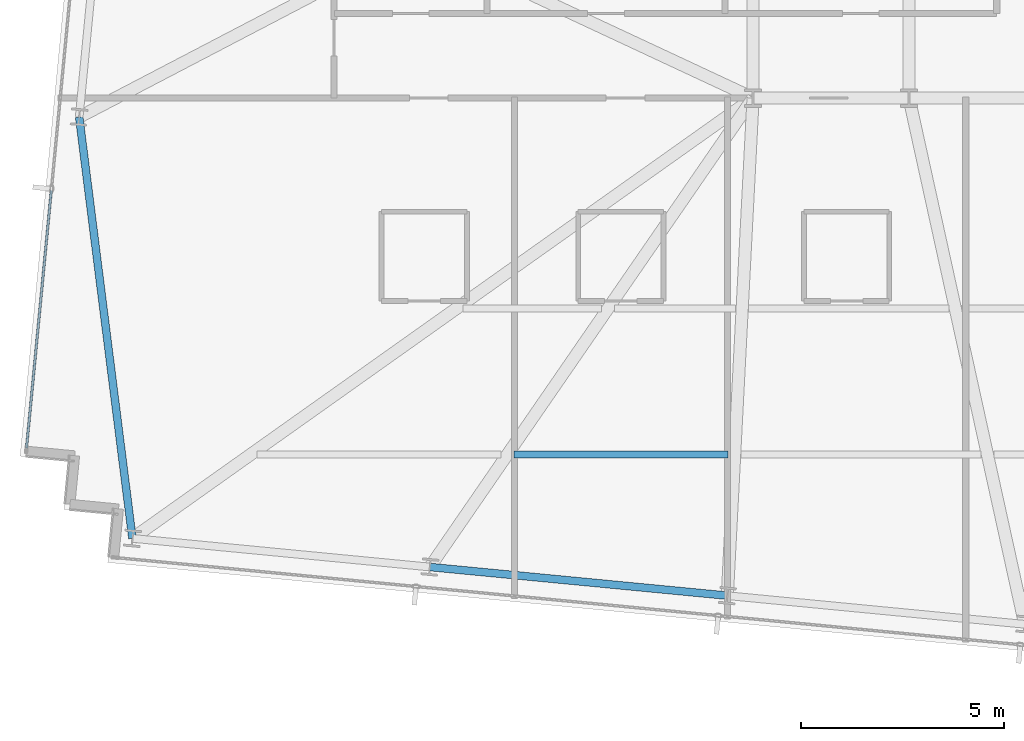
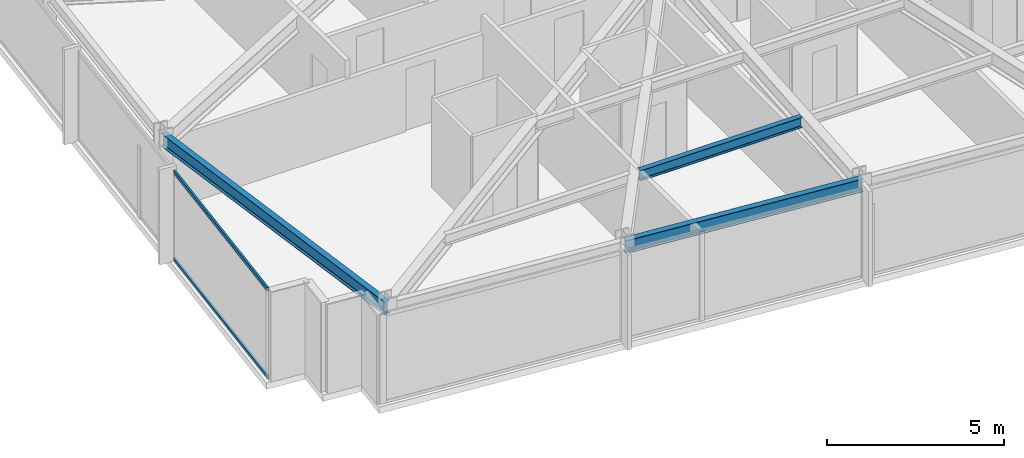
# One storey, part 3 of 38: 3 beams, 2 members, 1 element without a shape of its own.
"""IFC4 building model written with IfcOpenShell, lengths in metres."""

import ifcopenshell
import ifcopenshell.guid

model = None  # the IFC model being written
_history = None  # IfcOwnerHistory: only IFC2X3 demands one
_inside = {}  # id of a spatial element -> (the spatial element, [elements in it])
_under = {}  # id of a project, library or spatial element -> (it, [spatial elements below it])
_declared = {}  # id of a project -> (the project, [libraries it declares])
_typed = {}  # id of a type object -> (the type object, [elements of that type])
_made_of = {}  # id of a material, layer set ... -> (it, [elements and type objects made of it])


def new_model(schema):
    """Start an empty IFC model of exactly this schema.

    Asked for "IFC4X3", IfcOpenShell would pick the latest addendum, in which some entities
    have other attributes; the version numbers below select the first issue.
    IFC2X3 requires an IfcOwnerHistory on every rooted entity: one is made here for all.
    """
    global model, _history
    if schema == "IFC4X3":
        model = ifcopenshell.file(schema_version=(4, 3, 0, 0))
    else:
        model = ifcopenshell.file(schema=schema)
    _inside.clear()
    _under.clear()
    _declared.clear()
    _typed.clear()
    _made_of.clear()
    _history = None
    if model.schema == "IFC2X3":
        org = make("IfcOrganization", Name="unknown")
        user = make(
            "IfcPersonAndOrganization",
            ThePerson=make("IfcPerson", FamilyName="unknown"),
            TheOrganization=org,
        )
        app = make(
            "IfcApplication",
            ApplicationDeveloper=org,
            Version="unknown",
            ApplicationFullName="unknown",
            ApplicationIdentifier="unknown",
        )
        _history = make(
            "IfcOwnerHistory",
            OwningUser=user,
            OwningApplication=app,
            ChangeAction="ADDED",
            CreationDate=0,
        )
    return model


def make(cls, **values):
    """One entity of the class cls with the attributes given. An attribute that is None is left unset."""
    return model.create_entity(
        cls, **{name: value for name, value in values.items() if value is not None}
    )


def rooted(cls, **values):
    """An entity with a GlobalId (a new one), such as an element, a storey or a relation."""
    return make(cls, GlobalId=ifcopenshell.guid.new(), OwnerHistory=_history, **values)


def si_unit(unit_type, name, prefix=None):
    """IfcSIUnit, for example si_unit("LENGTHUNIT", "METRE", prefix="MILLI")."""
    return make("IfcSIUnit", UnitType=unit_type, Prefix=prefix, Name=name)


def assignment(units):
    """IfcUnitAssignment: the units of a project."""
    return None if units is None else make("IfcUnitAssignment", Units=units)


def point(xyz):
    """IfcCartesianPoint."""
    return None if xyz is None else make("IfcCartesianPoint", Coordinates=xyz)


def direction(xyz):
    """IfcDirection."""
    return None if xyz is None else make("IfcDirection", DirectionRatios=xyz)


def frame(location, z_axis=None, x_axis=None):
    """IfcAxis2Placement3D, a coordinate frame: its origin and axes. An axis left out is left unset."""
    return make(
        "IfcAxis2Placement3D",
        Location=point(location),
        Axis=direction(z_axis),
        RefDirection=direction(x_axis),
    )


def frame_2d(location, x_axis=None):
    """IfcAxis2Placement2D, a coordinate frame in the plane: its origin and x axis."""
    return make(
        "IfcAxis2Placement2D", Location=point(location), RefDirection=direction(x_axis)
    )


def origin():
    """The frame at (0, 0, 0) with its axes left unset."""
    return frame((0.0, 0.0, 0.0))


def origin_2d():
    """The frame at (0, 0) in the plane with its x axis left unset."""
    return frame_2d((0.0, 0.0))


def place(relative_to, where):
    """IfcLocalPlacement: puts the frame where relative to a parent placement (None: the world)."""
    return make(
        "IfcLocalPlacement", PlacementRelTo=relative_to, RelativePlacement=where
    )


def context(
    kind, dimensions, precision=None, world=None, true_north=None, identifier=None
):
    """IfcGeometricRepresentationContext, for example the 3D "Model" context."""
    return make(
        "IfcGeometricRepresentationContext",
        ContextIdentifier=identifier,
        ContextType=kind,
        CoordinateSpaceDimension=dimensions,
        Precision=precision,
        WorldCoordinateSystem=world,
        TrueNorth=true_north,
    )


def subcontext(parent, identifier, kind, view, scale=None):
    """IfcGeometricRepresentationSubContext, for example "Body" below "Model"."""
    return make(
        "IfcGeometricRepresentationSubContext",
        ContextIdentifier=identifier,
        ContextType=kind,
        ParentContext=parent,
        TargetScale=scale,
        TargetView=view,
    )


def project(units=None, contexts=None):
    """IfcProject with its units and contexts."""
    return rooted(
        "IfcProject",
        Name="project",
        RepresentationContexts=contexts,
        UnitsInContext=assignment(units),
    )


def spatial(cls, under=None, at=None, **own):
    """A site, building, storey or space (cls), placed at a placement, below another one or the project."""
    s = rooted(cls, ObjectPlacement=at, **own)
    if under is not None:
        _under.setdefault(under.id(), (under, []))[1].append(s)
    return s


def profile(cls, at=None, kind="AREA", **sizes):
    """A parametric profile (cls). Its sizes go by their IFC names, for example OverallWidth=200.0."""
    return make(cls, ProfileType=kind, Position=at, **sizes)


def hollow_rectangle(**sizes):
    """IfcRectangleHollowProfileDef."""
    return profile("IfcRectangleHollowProfileDef", **sizes)


def i_section(**sizes):
    """IfcIShapeProfileDef."""
    return profile("IfcIShapeProfileDef", **sizes)


def extrude(swept, where, along, depth):
    """IfcExtrudedAreaSolid: the profile swept, set in the frame where, extruded along a direction by depth."""
    return make(
        "IfcExtrudedAreaSolid",
        SweptArea=swept,
        Position=where,
        ExtrudedDirection=direction(along),
        Depth=depth,
    )


def shape(context_of_items, identifier, shape_type, items):
    """IfcShapeRepresentation: the items that make up one representation, for example the "Body"."""
    return make(
        "IfcShapeRepresentation",
        ContextOfItems=context_of_items,
        RepresentationIdentifier=identifier,
        RepresentationType=shape_type,
        Items=items,
    )


def material(Name=None, Category=None):
    """IfcMaterial."""
    return make("IfcMaterial", Name=Name, Category=Category)


def material_profile(
    of_material, cross_section, Name=None, Category=None, Priority=None
):
    """IfcMaterialProfile: a cross section and its material."""
    return make(
        "IfcMaterialProfile",
        Name=Name,
        Material=of_material,
        Profile=cross_section,
        Priority=Priority,
        Category=Category,
    )


def profile_set(profiles, Name=None, composite=None):
    """IfcMaterialProfileSet."""
    return make(
        "IfcMaterialProfileSet",
        Name=Name,
        MaterialProfiles=profiles,
        CompositeProfile=composite,
    )


def made_of(thing, what):
    """Note that an element or type object is made of a material, layer set ...; save() writes the relation."""
    if what is not None:
        _made_of.setdefault(what.id(), (what, []))[1].append(thing)
    return thing


def type_object(cls, material=None, **own):
    """A type object (cls), such as IfcWallType, which elements share."""
    return made_of(rooted(cls, **own), material)


def element(
    cls,
    number,
    at=None,
    inside=None,
    cuts=None,
    type_object=None,
    material=None,
    context=None,
    identifier="Body",
    shape_type=None,
    held_by="IfcProductDefinitionShape",
    body=None,
    shapes=None,
    **own,
):
    """One element of the class cls, such as IfcWall. Its Tag is "e" and its number.

    at: its placement. inside: the storey or other place that contains it. cuts: it is an
    opening in that element (IfcRelVoidsElement). A single representation is given by context,
    identifier, shape_type and body (its items); several are given by shapes. held_by: the class
    of the entity that holds the representations. save() writes the other relations.
    """
    e = rooted(cls, Tag="e%d" % number, ObjectPlacement=at, **own)
    if body is not None:
        shapes = [shape(context, identifier, shape_type, body)]
    if shapes is not None:
        e.Representation = make(held_by, Representations=shapes)
    if inside is not None:
        _inside.setdefault(inside.id(), (inside, []))[1].append(e)
    if cuts is not None:
        rooted(
            "IfcRelVoidsElement", RelatingBuildingElement=cuts, RelatedOpeningElement=e
        )
    if type_object is not None:
        _typed.setdefault(type_object.id(), (type_object, []))[1].append(e)
    return made_of(e, material)


def aggregate(whole, parts):
    """IfcRelAggregates: a whole, such as a stair, and the parts it consists of."""
    return rooted("IfcRelAggregates", RelatingObject=whole, RelatedObjects=parts)


def save(model, path):
    """Write the relations noted so far, then the file.

    IfcRelAggregates (storeys below a building ...), IfcRelContainedInSpatialStructure (elements
    in a storey), IfcRelDefinesByType, IfcRelAssociatesMaterial and IfcRelDeclares: one each for
    every whole, place, type object, material and project.
    """
    for whole, parts in _under.values():
        aggregate(whole, parts)
    for where, things in _inside.values():
        rooted(
            "IfcRelContainedInSpatialStructure",
            RelatedElements=things,
            RelatingStructure=where,
        )
    for kind, things in _typed.values():
        rooted("IfcRelDefinesByType", RelatedObjects=things, RelatingType=kind)
    for what, things in _made_of.values():
        rooted("IfcRelAssociatesMaterial", RelatedObjects=things, RelatingMaterial=what)
    for by, libraries in _declared.values():
        rooted("IfcRelDeclares", RelatingContext=by, RelatedDefinitions=libraries)
    model.write(path)


model = new_model("IFC4")

# Units and contexts
model_context = context("Model", 3, precision=1e-05, world=origin(), true_north=direction((0.0, 1.0)))
body_context = subcontext(model_context, "Body", "Model", "MODEL_VIEW")
ifc_project = project(units=[si_unit("LENGTHUNIT", "METRE"), si_unit("AREAUNIT", "SQUARE_METRE"), si_unit("VOLUMEUNIT", "CUBIC_METRE"), si_unit("PLANEANGLEUNIT", "RADIAN"), si_unit("MASSUNIT", "GRAM", prefix="KILO")], contexts=[model_context])

# Site, building, storey
site_placement = place(None, origin())
site = spatial("IfcSite", under=ifc_project, at=site_placement, CompositionType="ELEMENT")
building_placement = place(site_placement, origin())
building = spatial("IfcBuilding", under=site, at=building_placement, Name="Yelkora Congress Tower", CompositionType="ELEMENT")
storey_placement = place(building_placement, frame((0.0, 0.0, 155.60009765625)))
storey = spatial("IfcBuildingStorey", under=building, at=storey_placement, Name="L42", CompositionType="ELEMENT", Elevation=155.60009765625)

# Beams
ifc_material_1 = material(Name="Steel S355J2", Category="steel")
ifc_material_profile_1 = material_profile(ifc_material_1, i_section(OverallWidth=0.169921875, OverallDepth=0.360107421875, WebThickness=0.008056640625, FlangeThickness=0.0126953125, FilletRadius=0.01806640625, at=origin_2d()), Name="IPE 360")
ifc_profile_set_1 = profile_set([ifc_material_profile_1], Name="Steel S355J2")
beam_type_1 = type_object("IfcBeamType", Name="BM-JOIST-IPE360", PredefinedType="JOIST", material=ifc_profile_set_1)
beam_1_placement = place(storey_placement, frame((13.310546875, 16.421142578125, 2.89990234375), z_axis=(1.0, 0.0, 0.0), x_axis=(0.0, 1.0, 0.0)))
element("IfcBeam", 1, at=beam_1_placement, inside=storey, type_object=beam_type_1, Name="L42 Composite Floor Joist 6", PredefinedType="JOIST", context=body_context, shape_type="SweptSolid", body=[
    extrude(i_section(OverallWidth=0.169921875, OverallDepth=0.360107421875, WebThickness=0.008056640625, FlangeThickness=0.0126953125, FilletRadius=0.01806640625, at=origin_2d()), origin(), (0.0, 0.0, 1.0), 5.275146484375),
])
ifc_material_profile_2 = material_profile(ifc_material_1, i_section(OverallWidth=0.18994140625, OverallDepth=0.449951171875, WebThickness=0.009521484375, FlangeThickness=0.0146484375, FilletRadius=0.02099609375, at=origin_2d()), Name="IPE 450")
ifc_profile_set_2 = profile_set([ifc_material_profile_2], Name="Steel S355J2")
beam_type_2 = type_object("IfcBeamType", Name="BM-SPAN-IPE450", PredefinedType="SPANDREL", material=ifc_profile_set_2)
beam_2_placement = place(storey_placement, frame((2.607421875, 24.730712890625, 2.85498046875), z_axis=(0.125457133578, -0.992099041243, 0.0), x_axis=(0.992099041243, 0.125457133578, 0.0)))
element("IfcBeam", 2, at=beam_2_placement, inside=storey, type_object=beam_type_2, Name="L42 Perimeter Beam 1", PredefinedType="SPANDREL", context=body_context, shape_type="SweptSolid", body=[
    extrude(i_section(OverallWidth=0.18994140625, OverallDepth=0.449951171875, WebThickness=0.009521484375, FlangeThickness=0.0146484375, FilletRadius=0.02099609375, at=origin_2d()), origin(), (0.0, 0.0, 1.0), 10.455810546875),
])
beam_3_placement = place(storey_placement, frame((11.242431640625, 13.652099609375, 2.85498046875), z_axis=(0.995397409467, -0.095833173935, 0.0), x_axis=(0.095833173935, 0.995397409467, 0.0)))
element("IfcBeam", 3, at=beam_3_placement, inside=storey, type_object=beam_type_2, Name="L42 Perimeter Beam 3", PredefinedType="SPANDREL", context=body_context, shape_type="SweptSolid", body=[
    extrude(i_section(OverallWidth=0.18994140625, OverallDepth=0.449951171875, WebThickness=0.009521484375, FlangeThickness=0.0146484375, FilletRadius=0.02099609375, at=origin_2d()), origin(), (0.0, 0.0, 1.0), 7.357421875),
])

# Curtain wall, members
ifc_material_2 = material(Name="Anodised aluminium and insulated glass", Category="aluminium")
curtain_wall_type = type_object("IfcCurtainWallType", Name="CW-SYS-B3", PredefinedType="NOTDEFINED", material=ifc_material_2)
curtain_wall_placement = place(storey_placement, origin())
curtain_wall = element("IfcCurtainWall", 4, at=curtain_wall_placement, inside=storey, type_object=curtain_wall_type, Name="L42 Unitised Curtain Wall 5", PredefinedType="NOTDEFINED")
ifc_material_3 = material(Name="Anodised aluminium 6063-T6", Category="aluminium")
ifc_material_profile_3 = material_profile(ifc_material_3, hollow_rectangle(XDim=0.06005859375, YDim=0.1298828125, WallThickness=0.00390625, at=origin_2d()), Name="ALU 60x130x4")
ifc_profile_set_3 = profile_set([ifc_material_profile_3], Name="Anodised aluminium 6063-T6")
member_type = type_object("IfcMemberType", Name="MEM-TR-B3", PredefinedType="USERDEFINED", material=ifc_profile_set_3)
member_1_placement = place(storey_placement, frame((1.31005859375, 16.57763671875, 0.02978515625), z_axis=(0.095834923543, 0.99539724102, 0.0), x_axis=(-0.99539724102, 0.095834923543, 0.0)))
member_1 = element("IfcMember", 5, at=member_1_placement, type_object=member_type, Name="CW-B3 transom 1.1", ObjectType="TRANSOM", PredefinedType="USERDEFINED", context=body_context, shape_type="SweptSolid", body=[
    extrude(hollow_rectangle(XDim=0.06005859375, YDim=0.1298828125, WallThickness=0.00390625, at=origin_2d()), origin(), (0.0, 0.0, 1.0), 6.37890625),
])
member_2_placement = place(storey_placement, frame((1.31005859375, 16.57763671875, 3.0498046875), z_axis=(0.095834923543, 0.99539724102, 0.0), x_axis=(-0.99539724102, 0.095834923543, 0.0)))
member_2 = element("IfcMember", 6, at=member_2_placement, type_object=member_type, Name="CW-B3 transom 1.2", ObjectType="TRANSOM", PredefinedType="USERDEFINED", context=body_context, shape_type="SweptSolid", body=[
    extrude(hollow_rectangle(XDim=0.06005859375, YDim=0.1298828125, WallThickness=0.00390625, at=origin_2d()), origin(), (0.0, 0.0, 1.0), 6.37890625),
])
aggregate(curtain_wall, [member_1, member_2])

save(model, "model.ifc")
